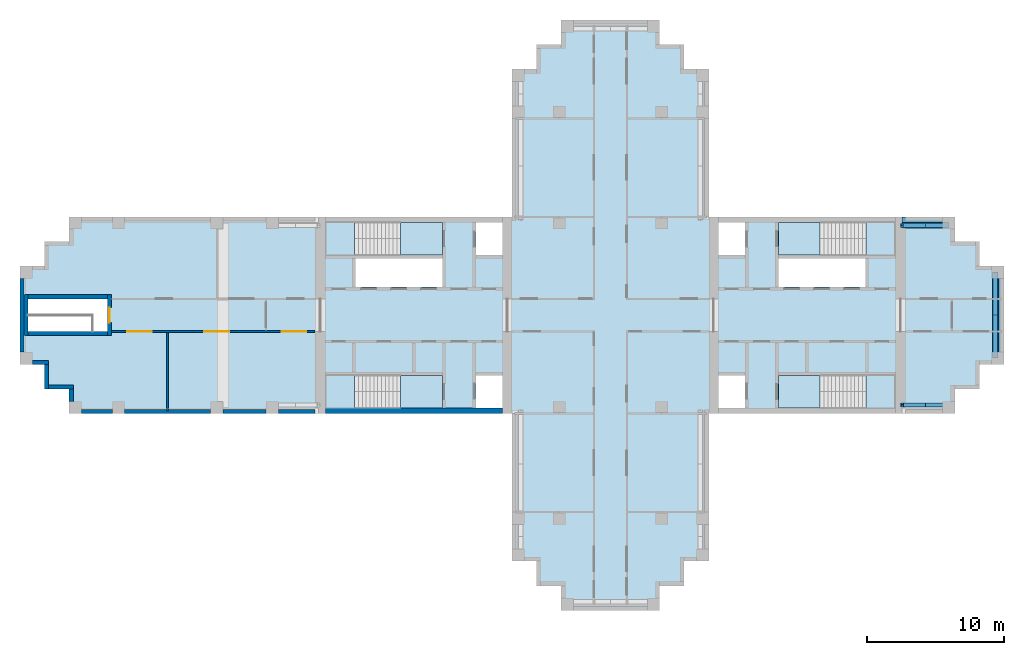
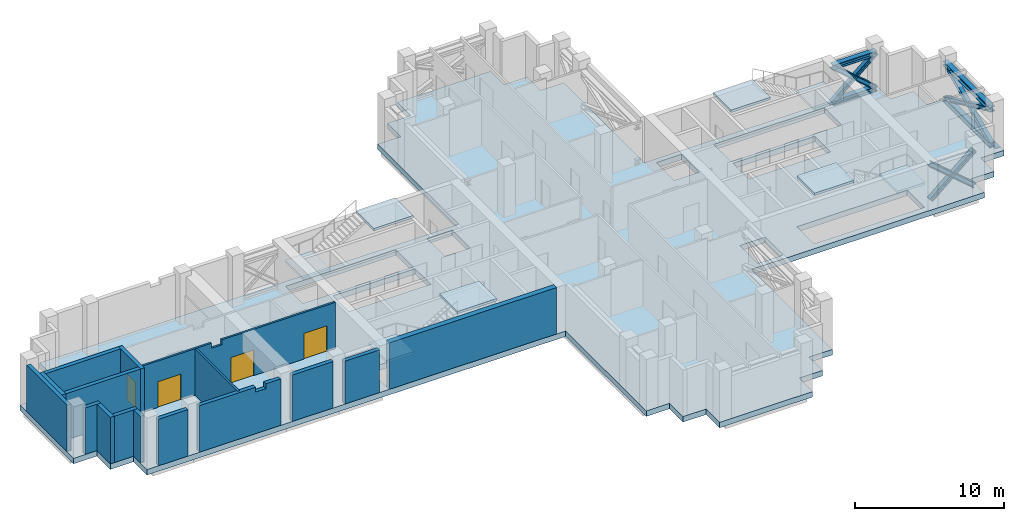
# One storey, part 2 of 8: 16 walls, 10 members, 9 slabs, 4 doors, 2 beams, 4 openings, 4 elements without a shape of their own.
"""IFC4 building model written with IfcOpenShell, lengths in metres."""

from ifc_helpers import new_model, si_unit, direction, frame, frame_2d, origin, origin_2d, place, context, subcontext, project, spatial, polyline, rectangle, i_section, outline, extrude, material, layer, layer_set, material_profile, profile_set, type_object, element, fill, aggregate, save


model = new_model("IFC4")

# Units and contexts
model_context = context("Model", 3, precision=1e-05, world=origin(), true_north=direction((0.0, 1.0)))
body_context = subcontext(model_context, "Body", "Model", "MODEL_VIEW")
ifc_project = project(units=[si_unit("LENGTHUNIT", "METRE"), si_unit("AREAUNIT", "SQUARE_METRE"), si_unit("VOLUMEUNIT", "CUBIC_METRE"), si_unit("PLANEANGLEUNIT", "RADIAN"), si_unit("MASSUNIT", "GRAM", prefix="KILO")], contexts=[model_context])

# Site, building, storey
site_placement = place(None, origin())
site = spatial("IfcSite", under=ifc_project, at=site_placement, CompositionType="ELEMENT")
building_placement = place(site_placement, origin())
building = spatial("IfcBuilding", under=site, at=building_placement, Name="Fustian Cross Tower", CompositionType="ELEMENT")
storey_placement = place(building_placement, frame((0.0, 0.0, 194.699951171875)))
storey = spatial("IfcBuildingStorey", under=building, at=storey_placement, Name="L61", CompositionType="ELEMENT", Elevation=194.699951171875)

# Members
ifc_material_1 = material(Name="Steel S355", Category="steel")
ifc_material_profile_1 = material_profile(ifc_material_1, i_section(OverallWidth=0.314453125, OverallDepth=0.33984375, WebThickness=0.01904296875, FlangeThickness=0.031494140625, FilletRadius=0.01513671875, at=origin_2d()), Name="UC 305x305x198")
ifc_profile_set_1 = profile_set([ifc_material_profile_1], Name="Steel S355")
member_type_1 = type_object("IfcMemberType", Name="BELT TRUSS BRACE UC 305x305x198 S355", PredefinedType="BRACE", material=ifc_profile_set_1)
for number, where, z_axis, x_axis, name in (
    (1, (21.35009765625, -6.570068359375, 0.400146484375), (0.760484913175, 0.0, 0.649355601218), (0.0, 1.0, 0.0), "BELT TRUSS BRACE L61-01X"),
    (2, (21.35009765625, -6.570068359375, 3.30322265625), (0.760484913175, 0.0, -0.649355601218), (0.0, 1.0, 0.0), "BELT TRUSS BRACE L61-01Y"),
):
    element("IfcMember", number, at=place(storey_placement, frame(where, z_axis=z_axis, x_axis=x_axis)), inside=storey, type_object=member_type_1, Name=name, PredefinedType="BRACE", context=body_context, shape_type="SweptSolid", body=[
        extrude(i_section(OverallWidth=0.314453125, OverallDepth=0.33984375, WebThickness=0.01904296875, FlangeThickness=0.031494140625, FilletRadius=0.01513671875, at=origin_2d()), origin(), (0.0, 0.0, 1.0), 4.470703125),
    ])
for number, where, z_axis, x_axis, name in (
    (3, (28.169921875, -3.14990234375, 0.400146484375), (0.0, 0.908207488438, 0.418520200163), (-1.0, 0.0, 0.0), "BELT TRUSS BRACE L61-02X"),
    (4, (28.169921875, -3.14990234375, 3.30322265625), (0.0, 0.908207488438, -0.418520200163), (-1.0, 0.0, 0.0), "BELT TRUSS BRACE L61-02Y"),
):
    element("IfcMember", number, at=place(storey_placement, frame(where, z_axis=z_axis, x_axis=x_axis)), inside=storey, type_object=member_type_1, Name=name, PredefinedType="BRACE", context=body_context, shape_type="SweptSolid", body=[
        extrude(i_section(OverallWidth=0.314453125, OverallDepth=0.33984375, WebThickness=0.01904296875, FlangeThickness=0.031494140625, FilletRadius=0.01513671875, at=origin_2d()), origin(), (0.0, 0.0, 1.0), 6.9365234375),
    ])
for number, where, z_axis, x_axis, name in (
    (5, (24.75, 6.570068359375, 0.400146484375), (-0.760484913175, 0.0, 0.649355601218), (0.0, -1.0, 0.0), "BELT TRUSS BRACE L61-03X"),
    (6, (24.75, 6.570068359375, 3.30322265625), (-0.760484913175, 0.0, -0.649355601218), (0.0, -1.0, 0.0), "BELT TRUSS BRACE L61-03Y"),
):
    element("IfcMember", number, at=place(storey_placement, frame(where, z_axis=z_axis, x_axis=x_axis)), inside=storey, type_object=member_type_1, Name=name, PredefinedType="BRACE", context=body_context, shape_type="SweptSolid", body=[
        extrude(i_section(OverallWidth=0.314453125, OverallDepth=0.33984375, WebThickness=0.01904296875, FlangeThickness=0.031494140625, FilletRadius=0.01513671875, at=origin_2d()), origin(), (0.0, 0.0, 1.0), 4.470703125),
    ])
ifc_material_2 = material(Name="Steel S355", Category="steel")
ifc_material_profile_2 = material_profile(ifc_material_2, i_section(OverallWidth=0.39892578125, OverallDepth=0.3935546875, WebThickness=0.022705078125, FlangeThickness=0.03662109375, FilletRadius=0.01513671875, at=origin_2d()), Name="UC 356x406x287")
ifc_profile_set_2 = profile_set([ifc_material_profile_2], Name="Steel S355")
member_type_2 = type_object("IfcMemberType", Name="BELT TRUSS CHORD UC 356x406x287 S355", PredefinedType="CHORD", material=ifc_profile_set_2)
for number, where, z_axis, x_axis, name in (
    (7, (28.169921875, -3.14990234375, 3.30322265625), (0.0, 1.0, 0.0), (-1.0, 0.0, 0.0), "BELT TRUSS CHORD L61-02"),
    (8, (28.169921875, -3.14990234375, 0.400146484375), (0.0, 1.0, 0.0), (-1.0, 0.0, 0.0), "BELT TRUSS CHORD L61-02"),
):
    element("IfcMember", number, at=place(storey_placement, frame(where, z_axis=z_axis, x_axis=x_axis)), inside=storey, type_object=member_type_2, Name=name, PredefinedType="CHORD", context=body_context, shape_type="SweptSolid", body=[
        extrude(i_section(OverallWidth=0.39892578125, OverallDepth=0.3935546875, WebThickness=0.022705078125, FlangeThickness=0.03662109375, FilletRadius=0.01513671875, at=origin_2d()), origin(), (0.0, 0.0, 1.0), 6.2998046875),
    ])
for number, where, z_axis, x_axis, name in (
    (9, (24.75, 6.570068359375, 3.30322265625), (-1.0, 0.0, 0.0), (0.0, -1.0, 0.0), "BELT TRUSS CHORD L61-03"),
    (10, (24.75, 6.570068359375, 0.400146484375), (-1.0, 0.0, 0.0), (0.0, -1.0, 0.0), "BELT TRUSS CHORD L61-03"),
):
    element("IfcMember", number, at=place(storey_placement, frame(where, z_axis=z_axis, x_axis=x_axis)), inside=storey, type_object=member_type_2, Name=name, PredefinedType="CHORD", context=body_context, shape_type="SweptSolid", body=[
        extrude(i_section(OverallWidth=0.39892578125, OverallDepth=0.3935546875, WebThickness=0.022705078125, FlangeThickness=0.03662109375, FilletRadius=0.01513671875, at=origin_2d()), origin(), (0.0, 0.0, 1.0), 3.39990234375),
    ])

# Beams
ifc_material_3 = material(Name="Concrete C50/60", Category="concrete")
ifc_material_profile_3 = material_profile(ifc_material_3, rectangle(XDim=0.39990234375, YDim=0.699951171875, at=origin_2d()), Name="RC 400x700")
ifc_profile_set_3 = profile_set([ifc_material_profile_3], Name="Concrete C50/60")
beam_type = type_object("IfcBeamType", Name="EDGE BEAM RC 400x700 C50/60", PredefinedType="SPANDREL", material=ifc_profile_set_3)
beam_1_placement = place(storey_placement, frame((28.60009765625, -3.14990234375, -0.349853515625), z_axis=(0.0, 1.0, 0.0), x_axis=(-1.0, 0.0, 0.0)))
element("IfcBeam", 11, at=beam_1_placement, inside=storey, type_object=beam_type, Name="EDGE BEAM L61-02", PredefinedType="SPANDREL", context=body_context, shape_type="SweptSolid", body=[
    extrude(rectangle(XDim=0.39990234375, YDim=0.699951171875, at=origin_2d()), origin(), (0.0, 0.0, 1.0), 6.2998046875),
])
beam_2_placement = place(storey_placement, frame((24.75, 7.0, -0.349853515625), z_axis=(-1.0, 0.0, 0.0), x_axis=(0.0, -1.0, 0.0)))
element("IfcBeam", 12, at=beam_2_placement, inside=storey, type_object=beam_type, Name="EDGE BEAM L61-03", PredefinedType="SPANDREL", context=body_context, shape_type="SweptSolid", body=[
    extrude(rectangle(XDim=0.39990234375, YDim=0.699951171875, at=origin_2d()), origin(), (0.0, 0.0, 1.0), 3.39990234375),
])

# Slab
ifc_material_4 = material(Name="Concrete C40/50", Category="concrete")
ifc_layer_1 = layer(ifc_material_4, 0.449951171875)
ifc_layer_set_1 = layer_set([ifc_layer_1], Name="Concrete C40/50")
slab_type_1 = type_object("IfcSlabType", Name="FLAT SLAB 450", PredefinedType="FLOOR", material=ifc_layer_set_1)
slab_1_placement = place(storey_placement, frame((0.0, 0.0, -0.449951171875)))
element("IfcSlab", 13, at=slab_1_placement, inside=storey, type_object=slab_type_1, Name="FLOOR SLAB L61-1", PredefinedType="FLOOR", context=body_context, shape_type="SweptSolid", body=[
    extrude(outline(polyline([(-7.199951171875, -7.199951171875), (-39.60009765625, -7.199951171875), (-39.60009765625, -5.39990234375), (-41.39990234375, -5.39990234375), (-41.39990234375, -3.60009765625), (-43.199951171875, -3.60009765625), (-43.199951171875, 3.60009765625), (-41.39990234375, 3.60009765625), (-41.39990234375, 5.39990234375), (-39.60009765625, 5.39990234375), (-39.60009765625, 7.199951171875), (-7.199951171875, 7.199951171875), (-7.199951171875, 18.0), (-5.39990234375, 18.0), (-5.39990234375, 19.800048828125), (-3.60009765625, 19.800048828125), (-3.60009765625, 21.60009765625), (3.60009765625, 21.60009765625), (3.60009765625, 19.800048828125), (5.39990234375, 19.800048828125), (5.39990234375, 18.0), (7.199951171875, 18.0), (7.199951171875, 7.199951171875), (25.199951171875, 7.199951171875), (25.199951171875, 5.39990234375), (27.0, 5.39990234375), (27.0, 3.60009765625), (28.800048828125, 3.60009765625), (28.800048828125, -3.60009765625), (27.0, -3.60009765625), (27.0, -5.39990234375), (25.199951171875, -5.39990234375), (25.199951171875, -7.199951171875), (7.199951171875, -7.199951171875), (7.199951171875, -18.0), (5.39990234375, -18.0), (5.39990234375, -19.800048828125), (3.60009765625, -19.800048828125), (3.60009765625, -21.60009765625), (-3.60009765625, -21.60009765625), (-3.60009765625, -19.800048828125), (-5.39990234375, -19.800048828125), (-5.39990234375, -18.0), (-7.199951171875, -18.0), (-7.199951171875, -7.199951171875)]), holes=[polyline([(7.89990234375, 4.39990234375), (9.85009765625, 4.39990234375), (9.85009765625, 6.800048828125), (7.89990234375, 6.800048828125), (7.89990234375, 4.39990234375)]), polyline([(7.89990234375, -4.39990234375), (7.89990234375, -6.800048828125), (9.85009765625, -6.800048828125), (9.85009765625, -4.39990234375), (7.89990234375, -4.39990234375)]), polyline([(-7.89990234375, 6.800048828125), (-9.85009765625, 6.800048828125), (-9.85009765625, 4.39990234375), (-7.89990234375, 4.39990234375), (-7.89990234375, 6.800048828125)]), polyline([(-7.89990234375, -6.800048828125), (-7.89990234375, -4.39990234375), (-9.85009765625, -4.39990234375), (-9.85009765625, -6.800048828125), (-7.89990234375, -6.800048828125)]), polyline([(12.300048828125, 2.050048828125), (18.64990234375, 2.050048828125), (18.64990234375, 4.14990234375), (12.300048828125, 4.14990234375), (12.300048828125, 2.050048828125)]), polyline([(-18.64990234375, 4.14990234375), (-18.64990234375, 2.050048828125), (-12.300048828125, 2.050048828125), (-12.300048828125, 4.14990234375), (-18.64990234375, 4.14990234375)]), polyline([(20.85009765625, 6.699951171875), (12.300048828125, 6.699951171875), (12.300048828125, 4.39990234375), (20.85009765625, 4.39990234375), (20.85009765625, 6.699951171875)]), polyline([(20.85009765625, -6.699951171875), (20.85009765625, -4.39990234375), (12.300048828125, -4.39990234375), (12.300048828125, -6.699951171875), (20.85009765625, -6.699951171875)]), polyline([(-20.85009765625, 4.39990234375), (-12.300048828125, 4.39990234375), (-12.300048828125, 6.699951171875), (-20.85009765625, 6.699951171875), (-20.85009765625, 4.39990234375)]), polyline([(-20.85009765625, -4.39990234375), (-20.85009765625, -6.699951171875), (-12.300048828125, -6.699951171875), (-12.300048828125, -4.39990234375), (-20.85009765625, -4.39990234375)]), polyline([(-36.800048828125, 1.199951171875), (-42.60009765625, 1.199951171875), (-42.60009765625, -1.199951171875), (-36.800048828125, -1.199951171875), (-36.800048828125, 1.199951171875)])]), origin(), (0.0, 0.0, 1.0), 0.449951171875),
])

# Stair, slabs
ifc_material_5 = material(Name="Concrete C50/60", Category="concrete")
stair_type = type_object("IfcStairType", Name="STAIR 1200 HALF TURN", PredefinedType="HALF_TURN_STAIR", material=ifc_material_5)
stair_1_placement = place(storey_placement, origin())
stair_1 = element("IfcStair", 14, at=stair_1_placement, inside=storey, type_object=stair_type, Name="Stair ST1", PredefinedType="HALF_TURN_STAIR")
ifc_material_6 = material(Name="Concrete C50/60", Category="concrete")
ifc_layer_2 = layer(ifc_material_6, 0.199951171875)
ifc_layer_set_2 = layer_set([ifc_layer_2], Name="Concrete C50/60")
slab_type_2 = type_object("IfcSlabType", Name="STAIR LANDING", PredefinedType="LANDING", material=ifc_layer_set_2)
slab_2_placement = place(storey_placement, frame((0.0, 0.0, 1.900146484375)))
slab_2 = element("IfcSlab", 15, at=slab_2_placement, type_object=slab_type_2, Name="ST1 landing 1", PredefinedType="LANDING", context=body_context, shape_type="SweptSolid", body=[
    extrude(outline(polyline([(18.7099609375, 4.39990234375), (20.85009765625, 4.39990234375), (20.85009765625, 6.800048828125), (18.7099609375, 6.800048828125), (18.7099609375, 4.39990234375)])), origin(), (0.0, 0.0, 1.0), 0.199951171875),
])
slab_3_placement = place(storey_placement, frame((0.0, 0.0, 4.0)))
slab_3 = element("IfcSlab", 16, at=slab_3_placement, type_object=slab_type_2, Name="ST1 landing 2", PredefinedType="LANDING", context=body_context, shape_type="SweptSolid", body=[
    extrude(outline(polyline([(12.300048828125, 4.39990234375), (15.35009765625, 4.39990234375), (15.35009765625, 6.800048828125), (12.300048828125, 6.800048828125), (12.300048828125, 4.39990234375)])), origin(), (0.0, 0.0, 1.0), 0.199951171875),
])
aggregate(stair_1, [slab_2, slab_3])

stair_2_placement = place(storey_placement, origin())
stair_2 = element("IfcStair", 17, at=stair_2_placement, inside=storey, type_object=stair_type, Name="Stair ST2", PredefinedType="HALF_TURN_STAIR")
slab_4_placement = place(storey_placement, frame((0.0, 0.0, 1.900146484375)))
slab_4 = element("IfcSlab", 18, at=slab_4_placement, type_object=slab_type_2, Name="ST2 landing 1", PredefinedType="LANDING", context=body_context, shape_type="SweptSolid", body=[
    extrude(outline(polyline([(18.7099609375, -4.39990234375), (20.85009765625, -4.39990234375), (20.85009765625, -6.800048828125), (18.7099609375, -6.800048828125), (18.7099609375, -4.39990234375)])), origin(), (0.0, 0.0, 1.0), 0.199951171875),
])
slab_5_placement = place(storey_placement, frame((0.0, 0.0, 4.0)))
slab_5 = element("IfcSlab", 19, at=slab_5_placement, type_object=slab_type_2, Name="ST2 landing 2", PredefinedType="LANDING", context=body_context, shape_type="SweptSolid", body=[
    extrude(outline(polyline([(12.300048828125, -4.39990234375), (15.35009765625, -4.39990234375), (15.35009765625, -6.800048828125), (12.300048828125, -6.800048828125), (12.300048828125, -4.39990234375)])), origin(), (0.0, 0.0, 1.0), 0.199951171875),
])
aggregate(stair_2, [slab_4, slab_5])

stair_3_placement = place(storey_placement, origin())
stair_3 = element("IfcStair", 20, at=stair_3_placement, inside=storey, type_object=stair_type, Name="Stair ST3", PredefinedType="HALF_TURN_STAIR")
slab_6_placement = place(storey_placement, frame((0.0, 0.0, 1.900146484375)))
slab_6 = element("IfcSlab", 21, at=slab_6_placement, type_object=slab_type_2, Name="ST3 landing 1", PredefinedType="LANDING", context=body_context, shape_type="SweptSolid", body=[
    extrude(outline(polyline([(-18.7099609375, 4.39990234375), (-20.85009765625, 4.39990234375), (-20.85009765625, 6.800048828125), (-18.7099609375, 6.800048828125), (-18.7099609375, 4.39990234375)])), origin(), (0.0, 0.0, 1.0), 0.199951171875),
])
slab_7_placement = place(storey_placement, frame((0.0, 0.0, 4.0)))
slab_7 = element("IfcSlab", 22, at=slab_7_placement, type_object=slab_type_2, Name="ST3 landing 2", PredefinedType="LANDING", context=body_context, shape_type="SweptSolid", body=[
    extrude(outline(polyline([(-12.300048828125, 4.39990234375), (-15.35009765625, 4.39990234375), (-15.35009765625, 6.800048828125), (-12.300048828125, 6.800048828125), (-12.300048828125, 4.39990234375)])), origin(), (0.0, 0.0, 1.0), 0.199951171875),
])
aggregate(stair_3, [slab_6, slab_7])

stair_4_placement = place(storey_placement, origin())
stair_4 = element("IfcStair", 23, at=stair_4_placement, inside=storey, type_object=stair_type, Name="Stair ST4", PredefinedType="HALF_TURN_STAIR")
slab_8_placement = place(storey_placement, frame((0.0, 0.0, 1.900146484375)))
slab_8 = element("IfcSlab", 24, at=slab_8_placement, type_object=slab_type_2, Name="ST4 landing 1", PredefinedType="LANDING", context=body_context, shape_type="SweptSolid", body=[
    extrude(outline(polyline([(-18.7099609375, -4.39990234375), (-20.85009765625, -4.39990234375), (-20.85009765625, -6.800048828125), (-18.7099609375, -6.800048828125), (-18.7099609375, -4.39990234375)])), origin(), (0.0, 0.0, 1.0), 0.199951171875),
])
slab_9_placement = place(storey_placement, frame((0.0, 0.0, 4.0)))
slab_9 = element("IfcSlab", 25, at=slab_9_placement, type_object=slab_type_2, Name="ST4 landing 2", PredefinedType="LANDING", context=body_context, shape_type="SweptSolid", body=[
    extrude(outline(polyline([(-12.300048828125, -4.39990234375), (-15.35009765625, -4.39990234375), (-15.35009765625, -6.800048828125), (-12.300048828125, -6.800048828125), (-12.300048828125, -4.39990234375)])), origin(), (0.0, 0.0, 1.0), 0.199951171875),
])
aggregate(stair_4, [slab_8, slab_9])

# Wall, openings, doors
ifc_material_7 = material(Name="Plasterboard on steel stud", Category="steel")
ifc_layer_3 = layer(ifc_material_7, 0.14990234375)
ifc_layer_set_3 = layer_set([ifc_layer_3], Name="Plasterboard on steel stud")
wall_type_1 = type_object("IfcWallType", Name="COMPARTMENT WALL 150 EI 60", PredefinedType="PARTITIONING", material=ifc_layer_set_3)
wall_1_placement = place(storey_placement, frame((-36.5, -1.199951171875, 0.0), z_axis=(0.0, 0.0, 1.0), x_axis=(1.0, 0.0, 0.0)))
wall_1 = element("IfcWall", 26, at=wall_1_placement, inside=storey, type_object=wall_type_1, Name="Partition 1", PredefinedType="PARTITIONING", context=body_context, shape_type="SweptSolid", body=[
    extrude(outline(polyline([(0.0, 0.0), (14.89990234375, 0.0), (14.89990234375, 3.800048828125), (6.10205078125, 3.800048828125), (6.10009765625, 3.400146484375), (5.300048828125, 3.400146484375), (5.298095703125, 3.800048828125), (0.0, 3.800048828125), (0.0, 0.0)])), frame((0.0, 0.074951171875, 0.0), z_axis=(0.0, -1.0, 0.0), x_axis=(1.0, 0.0, 0.0)), (0.0, 0.0, 1.0), 0.14990234375),
])
opening_1_placement = place(wall_1_placement, frame((6.800048828125, 0.0, 0.0)))
opening_1 = element("IfcOpeningElement", 27, at=opening_1_placement, cuts=wall_1, Name="Opening D28031", PredefinedType="OPENING", context=body_context, shape_type="SweptSolid", body=[
    extrude(rectangle(XDim=1.800048828125, YDim=2.10009765625, at=frame_2d((0.89990234375, 1.050048828125))), frame((0.0, 0.0849609375, 0.0), z_axis=(0.0, -1.0, 0.0), x_axis=(1.0, 0.0, 0.0)), (0.0, 0.0, 1.0), 0.169921875),
])
opening_2_placement = place(wall_1_placement, frame((12.449951171875, 0.0, 0.0)))
opening_2 = element("IfcOpeningElement", 28, at=opening_2_placement, cuts=wall_1, Name="Opening D28032", PredefinedType="OPENING", context=body_context, shape_type="SweptSolid", body=[
    extrude(rectangle(XDim=1.800048828125, YDim=2.10009765625, at=frame_2d((0.89990234375, 1.050048828125))), frame((0.0, 0.0849609375, 0.0), z_axis=(0.0, -1.0, 0.0), x_axis=(1.0, 0.0, 0.0)), (0.0, 0.0, 1.0), 0.169921875),
])
opening_3_placement = place(wall_1_placement, frame((1.14990234375, 0.0, 0.0)))
opening_3 = element("IfcOpeningElement", 29, at=opening_3_placement, cuts=wall_1, Name="Opening D28033", PredefinedType="OPENING", context=body_context, shape_type="SweptSolid", body=[
    extrude(rectangle(XDim=1.800048828125, YDim=2.10009765625, at=frame_2d((0.89990234375, 1.050048828125))), frame((0.0, 0.0849609375, 0.0), z_axis=(0.0, -1.0, 0.0), x_axis=(1.0, 0.0, 0.0)), (0.0, 0.0, 1.0), 0.169921875),
])
ifc_material_8 = material(Name="Timber fire door set", Category="wood")
door_type_1 = type_object("IfcDoorType", Name="FIRE DOUBLE DOOR 1800 FD60S", OperationType="DOUBLE_DOOR_DOUBLE_SWING", PredefinedType="DOOR", material=ifc_material_8)
door_1_placement = place(opening_1_placement, origin())
door_1 = element("IfcDoor", 30, at=door_1_placement, inside=storey, type_object=door_type_1, Name="Door D28031", OperationType="DOUBLE_DOOR_DOUBLE_SWING", OverallHeight=2.10009765625, OverallWidth=1.800048828125, PredefinedType="DOOR", context=body_context, shape_type="SweptSolid", body=[
    extrude(rectangle(XDim=1.800048828125, YDim=2.10009765625, at=frame_2d((0.89990234375, 1.050048828125))), frame((0.0, 0.02490234375, 0.0), z_axis=(0.0, -1.0, 0.0), x_axis=(1.0, 0.0, 0.0)), (0.0, 0.0, 1.0), 0.050048828125),
])
fill(opening_1, door_1)
door_2_placement = place(opening_2_placement, origin())
door_2 = element("IfcDoor", 31, at=door_2_placement, inside=storey, type_object=door_type_1, Name="Door D28032", OperationType="DOUBLE_DOOR_DOUBLE_SWING", OverallHeight=2.10009765625, OverallWidth=1.800048828125, PredefinedType="DOOR", context=body_context, shape_type="SweptSolid", body=[
    extrude(rectangle(XDim=1.800048828125, YDim=2.10009765625, at=frame_2d((0.89990234375, 1.050048828125))), frame((0.0, 0.02490234375, 0.0), z_axis=(0.0, -1.0, 0.0), x_axis=(1.0, 0.0, 0.0)), (0.0, 0.0, 1.0), 0.050048828125),
])
fill(opening_2, door_2)
door_3_placement = place(opening_3_placement, origin())
door_3 = element("IfcDoor", 32, at=door_3_placement, inside=storey, type_object=door_type_1, Name="Door D28033", OperationType="DOUBLE_DOOR_DOUBLE_SWING", OverallHeight=2.10009765625, OverallWidth=1.800048828125, PredefinedType="DOOR", context=body_context, shape_type="SweptSolid", body=[
    extrude(rectangle(XDim=1.800048828125, YDim=2.10009765625, at=frame_2d((0.89990234375, 1.050048828125))), frame((0.0, 0.02490234375, 0.0), z_axis=(0.0, -1.0, 0.0), x_axis=(1.0, 0.0, 0.0)), (0.0, 0.0, 1.0), 0.050048828125),
])
fill(opening_3, door_3)

# Walls
wall_2_placement = place(storey_placement, frame((-32.39990234375, -7.02001953125, 0.0), z_axis=(0.0, 0.0, 1.0), x_axis=(0.0, 1.0, 0.0)))
element("IfcWall", 33, at=wall_2_placement, inside=storey, type_object=wall_type_1, Name="Partition 3", PredefinedType="PARTITIONING", context=body_context, shape_type="SweptSolid", body=[
    extrude(rectangle(XDim=5.7451171875, YDim=0.14990234375, at=frame_2d((2.87255859375, 0.0))), origin(), (0.0, 0.0, 1.0), 3.800048828125),
])
ifc_material_9 = material(Name="Concrete C50/60", Category="concrete")
ifc_layer_4 = layer(ifc_material_9, 0.39990234375)
ifc_layer_set_4 = layer_set([ifc_layer_4], Name="Concrete C50/60")
wall_type_2 = type_object("IfcWallType", Name="CORE FACADE WALL 400 C50/60", PredefinedType="SHEAR", material=ifc_layer_set_4)
wall_3_placement = place(storey_placement, frame((-7.89990234375, -7.0, 0.0), z_axis=(0.0, 0.0, 1.0), x_axis=(-1.0, 0.0, 0.0)))
element("IfcWall", 34, at=wall_3_placement, inside=storey, type_object=wall_type_2, Name="Core facade wall", PredefinedType="SHEAR", context=body_context, shape_type="SweptSolid", body=[
    extrude(rectangle(XDim=12.9501953125, YDim=0.39990234375, at=frame_2d((6.47509765625, 0.0))), origin(), (0.0, 0.0, 1.0), 3.800048828125),
])

# Wall, opening, door
ifc_material_10 = material(Name="Concrete C50/60", Category="concrete")
ifc_layer_5 = layer(ifc_material_10, 0.300048828125)
ifc_layer_set_5 = layer_set([ifc_layer_5], Name="Concrete C50/60")
wall_type_3 = type_object("IfcWallType", Name="STAIR ENCLOSURE WALL 300 C50/60", PredefinedType="SHEAR", material=ifc_layer_set_5)
wall_4_placement = place(storey_placement, frame((-36.64990234375, -1.5, 0.0), z_axis=(0.0, 0.0, 1.0), x_axis=(0.0, 1.0, 0.0)))
wall_4 = element("IfcWall", 35, at=wall_4_placement, inside=storey, type_object=wall_type_3, Name="Stair enclosure wall", PredefinedType="SHEAR", context=body_context, shape_type="SweptSolid", body=[
    extrude(rectangle(XDim=3.0, YDim=0.300048828125, at=frame_2d((1.5, 0.0))), origin(), (0.0, 0.0, 1.0), 3.800048828125),
])
opening_4_placement = place(wall_4_placement, frame((0.949951171875, 0.0, 0.0)))
opening_4 = element("IfcOpeningElement", 36, at=opening_4_placement, cuts=wall_4, Name="Opening CD-26-35", PredefinedType="OPENING", context=body_context, shape_type="SweptSolid", body=[
    extrude(rectangle(XDim=1.10009765625, YDim=2.10009765625, at=frame_2d((0.550048828125, 1.050048828125))), frame((0.0, 0.159912109375, 0.0), z_axis=(0.0, -1.0, 0.0), x_axis=(1.0, 0.0, 0.0)), (0.0, 0.0, 1.0), 0.320068359375),
])
ifc_material_11 = material(Name="Steel", Category="steel")
door_type_2 = type_object("IfcDoorType", Name="FIRE DOOR FD60S 1100X2100", OperationType="SINGLE_SWING_LEFT", PredefinedType="DOOR", material=ifc_material_11)
door_4_placement = place(opening_4_placement, origin())
door_4 = element("IfcDoor", 37, at=door_4_placement, inside=storey, type_object=door_type_2, Name="Core door CD-26-35", OperationType="SINGLE_SWING_LEFT", OverallHeight=2.10009765625, OverallWidth=1.10009765625, PredefinedType="DOOR", context=body_context, shape_type="SweptSolid", body=[
    extrude(rectangle(XDim=1.10009765625, YDim=2.10009765625, at=frame_2d((0.550048828125, 1.050048828125))), frame((0.0, 0.02490234375, 0.0), z_axis=(0.0, -1.0, 0.0), x_axis=(1.0, 0.0, 0.0)), (0.0, 0.0, 1.0), 0.050048828125),
])
fill(opening_4, door_4)

# Walls
wall_5_placement = place(storey_placement, frame((-42.75, -1.5, 0.0), z_axis=(0.0, 0.0, 1.0), x_axis=(0.0, 1.0, 0.0)))
element("IfcWall", 38, at=wall_5_placement, inside=storey, type_object=wall_type_3, Name="Stair enclosure wall", PredefinedType="SHEAR", context=body_context, shape_type="SweptSolid", body=[
    extrude(rectangle(XDim=3.0, YDim=0.300048828125, at=frame_2d((1.5, 0.0))), origin(), (0.0, 0.0, 1.0), 3.800048828125),
])
for number, where, z_axis, x_axis, name in (
    (39, (-36.800048828125, -1.35009765625, 0.0), (0.0, 0.0, 1.0), (-1.0, 0.0, 0.0), "Stair enclosure wall"),
    (40, (-36.800048828125, 1.35009765625, 0.0), (0.0, 0.0, 1.0), (-1.0, 0.0, 0.0), "Stair enclosure wall"),
):
    element("IfcWall", number, at=place(storey_placement, frame(where, z_axis=z_axis, x_axis=x_axis)), inside=storey, type_object=wall_type_3, Name=name, PredefinedType="SHEAR", context=body_context, shape_type="SweptSolid", body=[
        extrude(rectangle(XDim=5.800048828125, YDim=0.300048828125, at=frame_2d((2.89990234375, 0.0))), origin(), (0.0, 0.0, 1.0), 3.800048828125),
    ])
ifc_material_12 = material(Name="Dark aluminium louvres on insulated backing wall", Category="aluminium")
ifc_layer_6 = layer(ifc_material_12, 0.300048828125)
ifc_layer_set_6 = layer_set([ifc_layer_6], Name="Dark aluminium louvres on insulated backing wall")
wall_type_4 = type_object("IfcWallType", Name="XW2 LOUVRED PLANT WALL 300", PredefinedType="SOLIDWALL", material=ifc_layer_set_6)
wall_6_placement = place(storey_placement, frame((-43.050048828125, 2.699951171875, 0.0), z_axis=(0.0, 0.0, 1.0), x_axis=(0.0, -1.0, 0.0)))
element("IfcWall", 41, at=wall_6_placement, inside=storey, type_object=wall_type_4, Name="Plant louvre wall", PredefinedType="SOLIDWALL", context=body_context, shape_type="SweptSolid", body=[
    extrude(rectangle(XDim=5.39990234375, YDim=0.300048828125, at=frame_2d((2.699951171875, 0.0))), origin(), (0.0, 0.0, 1.0), 3.800048828125),
])
wall_7_placement = place(storey_placement, frame((-42.300048828125, -3.449951171875, 0.0), z_axis=(0.0, 0.0, 1.0), x_axis=(1.0, 0.0, 0.0)))
element("IfcWall", 42, at=wall_7_placement, inside=storey, type_object=wall_type_4, Name="Plant louvre wall", PredefinedType="SOLIDWALL", context=body_context, shape_type="SweptSolid", body=[
    extrude(rectangle(XDim=1.199951171875, YDim=0.300048828125, at=frame_2d((0.60009765625, 0.0))), origin(), (0.0, 0.0, 1.0), 3.800048828125),
])
wall_8_placement = place(storey_placement, frame((-41.25, -3.60009765625, 0.0), z_axis=(0.0, 0.0, 1.0), x_axis=(0.0, -1.0, 0.0)))
element("IfcWall", 43, at=wall_8_placement, inside=storey, type_object=wall_type_4, Name="Plant louvre wall", PredefinedType="SOLIDWALL", context=body_context, shape_type="SweptSolid", body=[
    extrude(rectangle(XDim=1.7998046875, YDim=0.300048828125, at=frame_2d((0.89990234375, 0.0))), origin(), (0.0, 0.0, 1.0), 3.800048828125),
])
wall_9_placement = place(storey_placement, frame((-41.10009765625, -5.25, 0.0), z_axis=(0.0, 0.0, 1.0), x_axis=(1.0, 0.0, 0.0)))
element("IfcWall", 44, at=wall_9_placement, inside=storey, type_object=wall_type_4, Name="Plant louvre wall", PredefinedType="SOLIDWALL", context=body_context, shape_type="SweptSolid", body=[
    extrude(rectangle(XDim=1.800048828125, YDim=0.300048828125, at=frame_2d((0.89990234375, 0.0))), origin(), (0.0, 0.0, 1.0), 3.800048828125),
])
wall_10_placement = place(storey_placement, frame((-39.449951171875, -5.39990234375, 0.0), z_axis=(0.0, 0.0, 1.0), x_axis=(0.0, -1.0, 0.0)))
element("IfcWall", 45, at=wall_10_placement, inside=storey, type_object=wall_type_4, Name="Plant louvre wall", PredefinedType="SOLIDWALL", context=body_context, shape_type="SweptSolid", body=[
    extrude(rectangle(XDim=0.900146484375, YDim=0.300048828125, at=frame_2d((0.4501953125, 0.0))), origin(), (0.0, 0.0, 1.0), 3.800048828125),
])
wall_11_placement = place(storey_placement, frame((-38.699951171875, -7.050048828125, 0.0), z_axis=(0.0, 0.0, 1.0), x_axis=(1.0, 0.0, 0.0)))
element("IfcWall", 46, at=wall_11_placement, inside=storey, type_object=wall_type_4, Name="Plant louvre wall", PredefinedType="SOLIDWALL", context=body_context, shape_type="SweptSolid", body=[
    extrude(rectangle(XDim=2.25, YDim=0.300048828125, at=frame_2d((1.125, 0.0))), origin(), (0.0, 0.0, 1.0), 3.800048828125),
])
wall_12_placement = place(storey_placement, frame((-35.550048828125, -7.050048828125, 0.0), z_axis=(0.0, 0.0, 1.0), x_axis=(1.0, 0.0, 0.0)))
element("IfcWall", 47, at=wall_12_placement, inside=storey, type_object=wall_type_4, Name="Plant louvre wall", PredefinedType="SOLIDWALL", context=body_context, shape_type="SweptSolid", body=[
    extrude(outline(polyline([(0.0, 0.0), (6.300048828125, 0.0), (6.300048828125, 3.800048828125), (5.152099609375, 3.800048828125), (5.14990234375, 3.400146484375), (4.35009765625, 3.400146484375), (4.347900390625, 3.800048828125), (0.0, 3.800048828125), (0.0, 0.0)])), frame((0.0, 0.14990234375, 0.0), z_axis=(0.0, -1.0, 0.0), x_axis=(1.0, 0.0, 0.0)), (0.0, 0.0, 1.0), 0.300048828125),
])
wall_13_placement = place(storey_placement, frame((-28.35009765625, -7.050048828125, 0.0), z_axis=(0.0, 0.0, 1.0), x_axis=(1.0, 0.0, 0.0)))
element("IfcWall", 48, at=wall_13_placement, inside=storey, type_object=wall_type_4, Name="Plant louvre wall", PredefinedType="SOLIDWALL", context=body_context, shape_type="SweptSolid", body=[
    extrude(rectangle(XDim=3.150146484375, YDim=0.300048828125, at=frame_2d((1.5751953125, 0.0))), origin(), (0.0, 0.0, 1.0), 3.800048828125),
])
wall_14_placement = place(storey_placement, frame((-24.300048828125, -7.050048828125, 0.0), z_axis=(0.0, 0.0, 1.0), x_axis=(1.0, 0.0, 0.0)))
element("IfcWall", 49, at=wall_14_placement, inside=storey, type_object=wall_type_4, Name="Plant louvre wall", PredefinedType="SOLIDWALL", context=body_context, shape_type="SweptSolid", body=[
    extrude(rectangle(XDim=2.699951171875, YDim=0.300048828125, at=frame_2d((1.35009765625, 0.0))), origin(), (0.0, 0.0, 1.0), 3.5),
])

save(model, "model.ifc")
